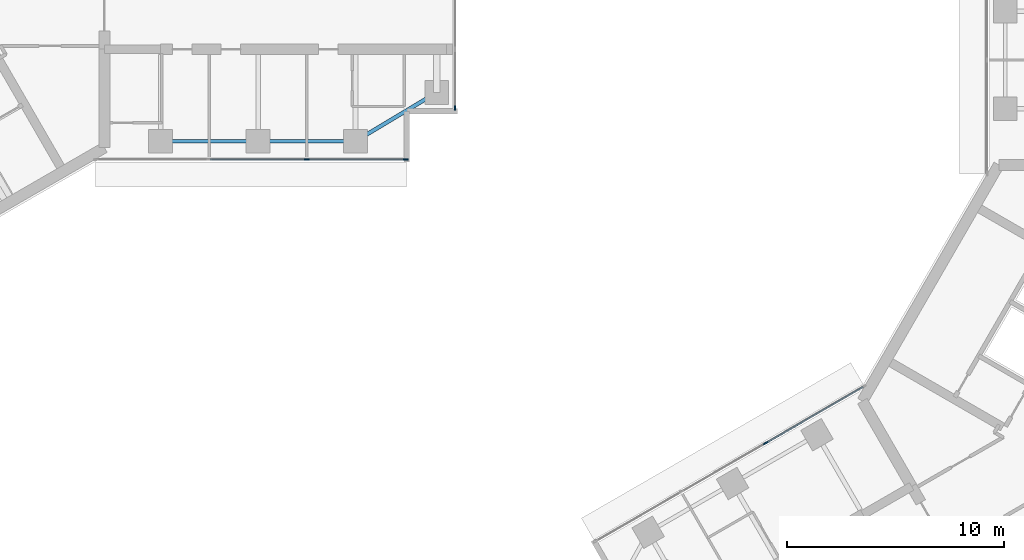
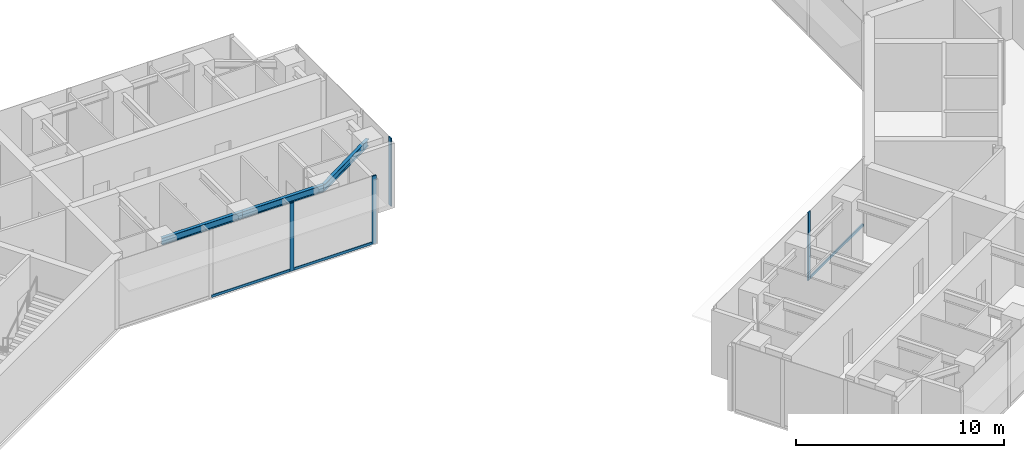
# One storey, part 4 of 18: 7 members, 3 beams, 3 elements without a shape of their own.
"""IFC4 building model written with IfcOpenShell, lengths in metres."""

from ifc_helpers import new_model, si_unit, direction, frame, origin, origin_2d, place, context, subcontext, project, spatial, rectangle, i_section, extrude, material, material_profile, profile_set, type_object, element, aggregate, save


model = new_model("IFC4")

# Units and contexts
model_context = context("Model", 3, precision=1e-05, world=origin(), true_north=direction((0.0, 1.0)))
body_context = subcontext(model_context, "Body", "Model", "MODEL_VIEW")
ifc_project = project(units=[si_unit("LENGTHUNIT", "METRE"), si_unit("AREAUNIT", "SQUARE_METRE"), si_unit("VOLUMEUNIT", "CUBIC_METRE"), si_unit("PLANEANGLEUNIT", "RADIAN"), si_unit("MASSUNIT", "GRAM", prefix="KILO")], contexts=[model_context])

# Site, building, storey
site_placement = place(None, origin())
site = spatial("IfcSite", under=ifc_project, at=site_placement, CompositionType="ELEMENT")
building_placement = place(site_placement, origin())
building = spatial("IfcBuilding", under=site, at=building_placement, Name="Upepo Twin Towers", CompositionType="ELEMENT")
storey_placement = place(building_placement, frame((0.0, 0.0, 222.5)))
storey = spatial("IfcBuildingStorey", under=building, at=storey_placement, Name="L54", CompositionType="ELEMENT", Elevation=222.5)

# Beams
ifc_material_1 = material(Name="Steel S355", Category="steel")
ifc_material_profile_1 = material_profile(ifc_material_1, i_section(OverallWidth=0.177978515625, OverallDepth=0.406494140625, WebThickness=0.0078125, FlangeThickness=0.0126953125, FilletRadius=0.01025390625, at=origin_2d()), Name="UB 406x178x60")
ifc_profile_set_1 = profile_set([ifc_material_profile_1], Name="Steel S355")
beam_type = type_object("IfcBeamType", Name="Beam UB 406x178x60", PredefinedType="BEAM", material=ifc_profile_set_1)
for number, where, z_axis, x_axis, name in (
    (1, (13.5, -6.0, 3.5966796875), (1.0, 0.0, 0.0), (0.0, 1.0, 0.0), "T1 edge beam AR 13.5-18.0"),
    (2, (18.0, -6.0, 3.5966796875), (1.0, 0.0, 0.0), (0.0, 1.0, 0.0), "T1 edge beam AR 18.0-22.5"),
):
    element("IfcBeam", number, at=place(storey_placement, frame(where, z_axis=z_axis, x_axis=x_axis)), inside=storey, type_object=beam_type, Name=name, PredefinedType="BEAM", context=body_context, shape_type="SweptSolid", body=[
        extrude(i_section(OverallWidth=0.177978515625, OverallDepth=0.406494140625, WebThickness=0.0078125, FlangeThickness=0.0126953125, FilletRadius=0.01025390625, at=origin_2d()), origin(), (0.0, 0.0, 1.0), 4.5),
    ])
beam_placement = place(storey_placement, frame((22.5, -6.0, 3.5966796875), z_axis=(0.857492925713, 0.514495755428, 0.0), x_axis=(-0.514495755428, 0.857492925713, 0.0)))
element("IfcBeam", 3, at=beam_placement, inside=storey, type_object=beam_type, Name="T1 nose edge beam AR", PredefinedType="BEAM", context=body_context, shape_type="SweptSolid", body=[
    extrude(i_section(OverallWidth=0.177978515625, OverallDepth=0.406494140625, WebThickness=0.0078125, FlangeThickness=0.0126953125, FilletRadius=0.01025390625, at=origin_2d()), origin(), (0.0, 0.0, 1.0), 4.373291015625),
])

# Curtain wall, members
ifc_material_2 = material(Name="Aluminium and fritted glass", Category="aluminium")
curtain_wall_type = type_object("IfcCurtainWallType", Name="Tower curtain wall TW3, fritted glass", PredefinedType="NOTDEFINED", material=ifc_material_2)
curtain_wall_1_placement = place(storey_placement, origin())
curtain_wall_1 = element("IfcCurtainWall", 4, at=curtain_wall_1_placement, inside=storey, type_object=curtain_wall_type, Name="T1 L54 wing A flank R curtain wall", PredefinedType="NOTDEFINED")
ifc_material_3 = material(Name="Aluminium mullion", Category="aluminium")
ifc_material_profile_2 = material_profile(ifc_material_3, rectangle(XDim=0.06494140625, YDim=0.22509765625, at=origin_2d()), Name="MULLION 65x225")
ifc_profile_set_2 = profile_set([ifc_material_profile_2], Name="Aluminium mullion")
member_type_1 = type_object("IfcMemberType", Name="Mullion 65x225 TW3", PredefinedType="MULLION", material=ifc_profile_set_2)
member_1_placement = place(storey_placement, frame((24.8173828125, -6.85009765625, 0.0), z_axis=(0.0, 0.0, 1.0), x_axis=(0.0, -1.0, 0.0)))
member_1 = element("IfcMember", 5, at=member_1_placement, type_object=member_type_1, Name="T1 L54 wing A flank R curtain wall mullion 1", PredefinedType="MULLION", context=body_context, shape_type="SweptSolid", body=[
    extrude(rectangle(XDim=0.06494140625, YDim=0.22509765625, at=origin_2d()), origin(), (0.0, 0.0, 1.0), 4.0),
])
member_2_placement = place(storey_placement, frame((20.25, -6.85009765625, 0.0), z_axis=(0.0, 0.0, 1.0), x_axis=(0.0, -1.0, 0.0)))
member_2 = element("IfcMember", 6, at=member_2_placement, type_object=member_type_1, Name="T1 L54 wing A flank R curtain wall mullion 2", PredefinedType="MULLION", context=body_context, shape_type="SweptSolid", body=[
    extrude(rectangle(XDim=0.06494140625, YDim=0.22509765625, at=origin_2d()), origin(), (0.0, 0.0, 1.0), 4.0),
])

# Curtain wall, member
curtain_wall_2_placement = place(storey_placement, origin())
curtain_wall_2 = element("IfcCurtainWall", 7, at=curtain_wall_2_placement, inside=storey, type_object=curtain_wall_type, Name="T1 L54 wing A nose curtain wall", PredefinedType="NOTDEFINED")
member_3_placement = place(storey_placement, frame((27.10009765625, -4.467529296875, 0.0), z_axis=(0.0, 0.0, 1.0), x_axis=(-1.0, 0.0, 0.0)))
member_3 = element("IfcMember", 8, at=member_3_placement, type_object=member_type_1, Name="T1 L54 wing A nose curtain wall mullion 1", PredefinedType="MULLION", context=body_context, shape_type="SweptSolid", body=[
    extrude(rectangle(XDim=0.06494140625, YDim=0.22509765625, at=origin_2d()), origin(), (0.0, 0.0, 1.0), 4.0),
])
aggregate(curtain_wall_2, [member_3])

curtain_wall_3_placement = place(storey_placement, origin())
curtain_wall_3 = element("IfcCurtainWall", 9, at=curtain_wall_3_placement, inside=storey, type_object=curtain_wall_type, Name="T2 L54 wing B flank R curtain wall", PredefinedType="NOTDEFINED")
member_4_placement = place(storey_placement, frame((41.43505859375, -19.942626953125, 0.0), z_axis=(0.0, 0.0, 1.0), x_axis=(-0.500000026527, 0.866025388469, 0.0)))
member_4 = element("IfcMember", 10, at=member_4_placement, type_object=member_type_1, Name="T2 L54 wing B flank R curtain wall mullion 3", PredefinedType="MULLION", context=body_context, shape_type="SweptSolid", body=[
    extrude(rectangle(XDim=0.06494140625, YDim=0.22509765625, at=origin_2d()), origin(), (0.0, 0.0, 1.0), 4.0),
])

# Member
ifc_material_4 = material(Name="Aluminium transom", Category="aluminium")
ifc_material_profile_3 = material_profile(ifc_material_4, rectangle(XDim=0.06494140625, YDim=0.14990234375, at=origin_2d()), Name="TRANSOM 65x150")
ifc_profile_set_3 = profile_set([ifc_material_profile_3], Name="Aluminium transom")
member_type_2 = type_object("IfcMemberType", Name="Transom 65x150 TW3", PredefinedType="USERDEFINED", material=ifc_profile_set_3)
member_5_placement = place(storey_placement, frame((24.784912109375, -6.85009765625, 0.074951171875), z_axis=(-1.0, 0.0, 0.0), x_axis=(0.0, -1.0, 0.0)))
member_5 = element("IfcMember", 11, at=member_5_placement, type_object=member_type_2, Name="T1 L54 wing A flank R curtain wall transom 1", ObjectType="TRANSOM", PredefinedType="USERDEFINED", context=body_context, shape_type="SweptSolid", body=[
    extrude(rectangle(XDim=0.06494140625, YDim=0.14990234375, at=origin_2d()), origin(), (0.0, 0.0, 1.0), 4.50244140625),
])

member_6_placement = place(storey_placement, frame((20.217529296875, -6.85009765625, 0.074951171875), z_axis=(-1.0, 0.0, 0.0), x_axis=(0.0, -1.0, 0.0)))
member_6 = element("IfcMember", 12, at=member_6_placement, type_object=member_type_2, Name="T1 L54 wing A flank R curtain wall transom 2", ObjectType="TRANSOM", PredefinedType="USERDEFINED", context=body_context, shape_type="SweptSolid", body=[
    extrude(rectangle(XDim=0.06494140625, YDim=0.14990234375, at=origin_2d()), origin(), (0.0, 0.0, 1.0), 4.43505859375),
])

aggregate(curtain_wall_1, [member_1, member_2, member_5, member_6])

member_7_placement = place(storey_placement, frame((41.463134765625, -19.926513671875, 0.074951171875), z_axis=(0.86602108507, 0.500007480159, 0.0), x_axis=(-0.500007480159, 0.86602108507, 0.0)))
member_7 = element("IfcMember", 13, at=member_7_placement, type_object=member_type_2, Name="T2 L54 wing B flank R curtain wall transom 3", ObjectType="TRANSOM", PredefinedType="USERDEFINED", context=body_context, shape_type="SweptSolid", body=[
    extrude(rectangle(XDim=0.06494140625, YDim=0.14990234375, at=origin_2d()), origin(), (0.0, 0.0, 1.0), 5.16552734375),
])

aggregate(curtain_wall_3, [member_4, member_7])

save(model, "model.ifc")
